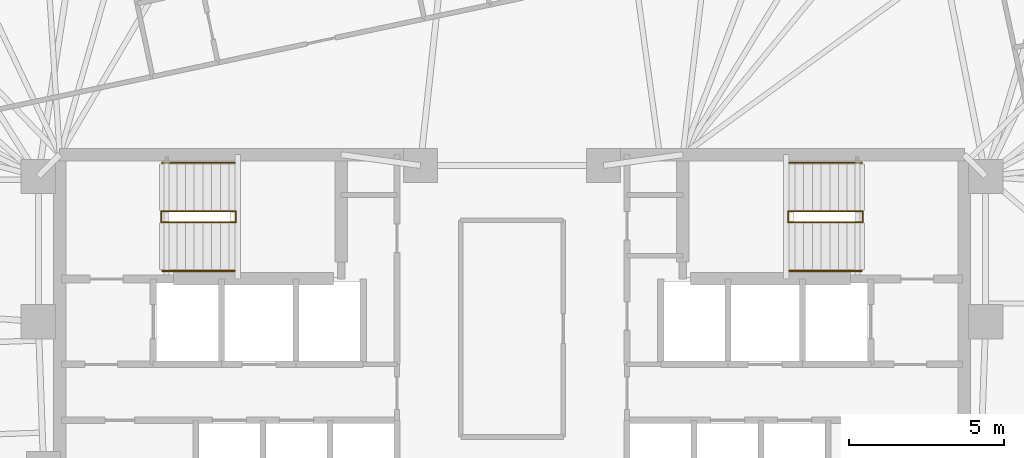
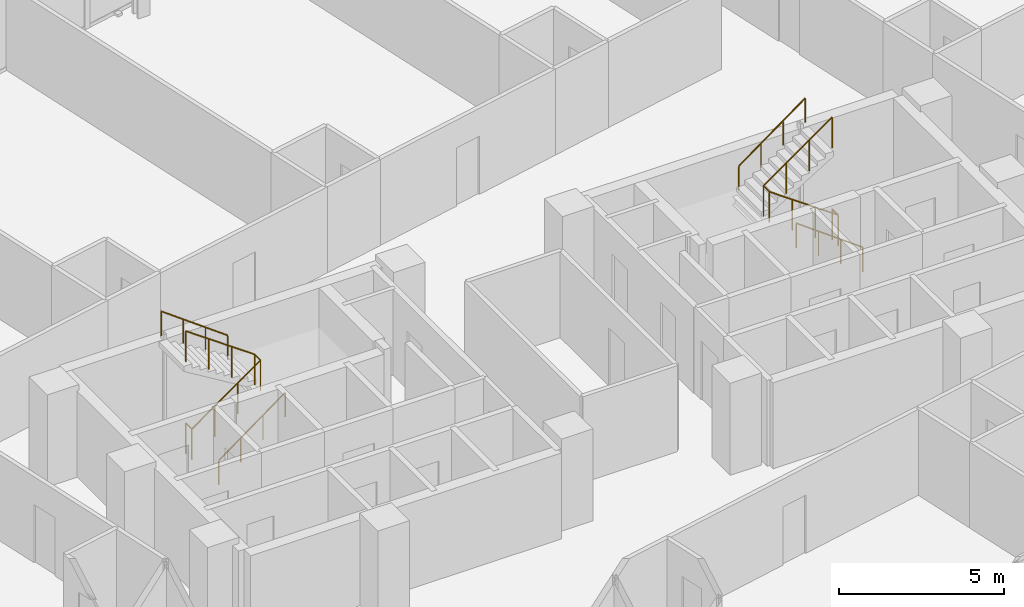
# One storey, part 19 of 19: 6 railings.
"""IFC4 building model written with IfcOpenShell, lengths in metres."""

from ifc_helpers import new_model, si_unit, direction, frame, origin, origin_2d, place, context, subcontext, project, spatial, circle, extrude, material, type_object, element, save


model = new_model("IFC4")

# Units and contexts
model_context = context("Model", 3, precision=1e-05, world=origin(), true_north=direction((0.0, 1.0)))
body_context = subcontext(model_context, "Body", "Model", "MODEL_VIEW")
ifc_project = project(units=[si_unit("LENGTHUNIT", "METRE"), si_unit("AREAUNIT", "SQUARE_METRE"), si_unit("VOLUMEUNIT", "CUBIC_METRE"), si_unit("PLANEANGLEUNIT", "RADIAN"), si_unit("MASSUNIT", "GRAM", prefix="KILO")], contexts=[model_context])

# Site, building, storey
site_placement = place(None, origin())
site = spatial("IfcSite", under=ifc_project, at=site_placement, CompositionType="ELEMENT")
building_placement = place(site_placement, origin())
building = spatial("IfcBuilding", under=site, at=building_placement, Name="Menara Jurai Vektor", CompositionType="ELEMENT")
storey_placement = place(building_placement, frame((0.0, 0.0, 182.0)))
storey = spatial("IfcBuildingStorey", under=building, at=storey_placement, Name="L47", CompositionType="ELEMENT", Elevation=182.0)

# Railings
ifc_material_1 = material(Name="Painted Galvanised Steel Balustrade", Category="steel")
railing_type_1 = type_object("IfcRailingType", Name="RAIL-STAIR-GUARD", PredefinedType="GUARDRAIL", material=ifc_material_1)
railing_1_placement = place(storey_placement, frame((-11.2900390625, 3.780029296875, 0.0)))
element("IfcRailing", 1, at=railing_1_placement, inside=storey, type_object=railing_type_1, Name="ST1 Stair Guardrail 1 L47", PredefinedType="GUARDRAIL", context=body_context, shape_type="SweptSolid", body=[
    extrude(circle(Radius=0.02392578125, at=origin_2d()), frame((0.0, 0.0, 1.1259765625), z_axis=(0.0, -1.0, 0.0), x_axis=(1.0, 0.0, 0.0)), (0.0, 0.0, 1.0), 0.360107421875),
    extrude(circle(Radius=0.02392578125, at=origin_2d()), frame((0.0, -0.360107421875, 1.1259765625), z_axis=(0.816048950856, 0.0, 0.577982793694), x_axis=(0.0, 1.0, 0.0)), (0.0, 0.0, 1.0), 2.941162109375),
    extrude(circle(Radius=0.02392578125, at=origin_2d()), frame((2.400146484375, -0.360107421875, 2.82568359375), z_axis=(0.0, 1.0, 0.0), x_axis=(-1.0, 0.0, 0.0)), (0.0, 0.0, 1.0), 0.360107421875),
    extrude(circle(Radius=0.02392578125, at=origin_2d()), frame((2.400146484375, 0.0, 2.82568359375), z_axis=(-0.816048950856, 0.0, 0.577982793694), x_axis=(0.0, -1.0, 0.0)), (0.0, 0.0, 1.0), 2.941162109375),
    extrude(circle(Radius=0.02099609375, at=origin_2d()), origin(), (0.0, 0.0, 1.0), 1.101806640625),
    extrude(circle(Radius=0.02099609375, at=origin_2d()), frame((0.0, -0.360107421875, 0.0)), (0.0, 0.0, 1.0), 1.101806640625),
    extrude(circle(Radius=0.02099609375, at=origin_2d()), frame((0.800048828125, -0.360107421875, 0.566650390625)), (0.0, 0.0, 1.0), 1.101806640625),
    extrude(circle(Radius=0.02099609375, at=origin_2d()), frame((1.60009765625, -0.360107421875, 1.13330078125)), (0.0, 0.0, 1.0), 1.101806640625),
    extrude(circle(Radius=0.02099609375, at=origin_2d()), frame((2.400146484375, -0.360107421875, 1.699951171875)), (0.0, 0.0, 1.0), 1.101806640625),
    extrude(circle(Radius=0.02099609375, at=origin_2d()), frame((2.400146484375, 0.0, 1.699951171875)), (0.0, 0.0, 1.0), 1.101806640625),
    extrude(circle(Radius=0.02099609375, at=origin_2d()), frame((1.60009765625, 0.0, 2.2666015625)), (0.0, 0.0, 1.0), 1.101806640625),
    extrude(circle(Radius=0.02099609375, at=origin_2d()), frame((0.800048828125, 0.0, 2.833251953125)), (0.0, 0.0, 1.0), 1.101806640625),
    extrude(circle(Radius=0.02099609375, at=origin_2d()), frame((0.0, 0.0, 3.39990234375)), (0.0, 0.0, 1.0), 1.101806640625),
])
railing_2_placement = place(storey_placement, frame((11.2900390625, 3.780029296875, 0.0)))
element("IfcRailing", 2, at=railing_2_placement, inside=storey, type_object=railing_type_1, Name="ST2 Stair Guardrail 1 L47", PredefinedType="GUARDRAIL", context=body_context, shape_type="SweptSolid", body=[
    extrude(circle(Radius=0.02392578125, at=origin_2d()), frame((0.0, 0.0, 1.1259765625), z_axis=(0.0, -1.0, 0.0), x_axis=(1.0, 0.0, 0.0)), (0.0, 0.0, 1.0), 0.360107421875),
    extrude(circle(Radius=0.02392578125, at=origin_2d()), frame((0.0, -0.360107421875, 1.1259765625), z_axis=(-0.816048950856, 0.0, 0.577982793694), x_axis=(0.0, -1.0, 0.0)), (0.0, 0.0, 1.0), 2.941162109375),
    extrude(circle(Radius=0.02392578125, at=origin_2d()), frame((-2.400146484375, -0.360107421875, 2.82568359375), z_axis=(0.0, 1.0, 0.0), x_axis=(-1.0, 0.0, 0.0)), (0.0, 0.0, 1.0), 0.360107421875),
    extrude(circle(Radius=0.02392578125, at=origin_2d()), frame((-2.400146484375, 0.0, 2.82568359375), z_axis=(0.816048950856, 0.0, 0.577982793694), x_axis=(0.0, 1.0, 0.0)), (0.0, 0.0, 1.0), 2.941162109375),
    extrude(circle(Radius=0.02099609375, at=origin_2d()), origin(), (0.0, 0.0, 1.0), 1.101806640625),
    extrude(circle(Radius=0.02099609375, at=origin_2d()), frame((0.0, -0.360107421875, 0.0)), (0.0, 0.0, 1.0), 1.101806640625),
    extrude(circle(Radius=0.02099609375, at=origin_2d()), frame((-0.800048828125, -0.360107421875, 0.566650390625)), (0.0, 0.0, 1.0), 1.101806640625),
    extrude(circle(Radius=0.02099609375, at=origin_2d()), frame((-1.60009765625, -0.360107421875, 1.13330078125)), (0.0, 0.0, 1.0), 1.101806640625),
    extrude(circle(Radius=0.02099609375, at=origin_2d()), frame((-2.400146484375, -0.360107421875, 1.699951171875)), (0.0, 0.0, 1.0), 1.101806640625),
    extrude(circle(Radius=0.02099609375, at=origin_2d()), frame((-2.400146484375, 0.0, 1.699951171875)), (0.0, 0.0, 1.0), 1.101806640625),
    extrude(circle(Radius=0.02099609375, at=origin_2d()), frame((-1.60009765625, 0.0, 2.2666015625)), (0.0, 0.0, 1.0), 1.101806640625),
    extrude(circle(Radius=0.02099609375, at=origin_2d()), frame((-0.800048828125, 0.0, 2.833251953125)), (0.0, 0.0, 1.0), 1.101806640625),
    extrude(circle(Radius=0.02099609375, at=origin_2d()), frame((0.0, 0.0, 3.39990234375)), (0.0, 0.0, 1.0), 1.101806640625),
])
ifc_material_2 = material(Name="Brushed Stainless Steel Handrail", Category="steel")
railing_type_2 = type_object("IfcRailingType", Name="RAIL-STAIR-HAND", PredefinedType="HANDRAIL", material=ifc_material_2)
railing_3_placement = place(storey_placement, frame((-11.25, 1.860107421875, 0.0)))
element("IfcRailing", 3, at=railing_3_placement, inside=storey, type_object=railing_type_2, Name="ST1 Stair Handrail 1 L47", PredefinedType="HANDRAIL", context=body_context, shape_type="SweptSolid", body=[
    extrude(circle(Radius=0.02392578125, at=origin_2d()), frame((0.0, 0.0, 0.89599609375), z_axis=(0.806642406755, 0.0, 0.591039785145), x_axis=(0.0, 1.0, 0.0)), (0.0, 0.0, 1.0), 2.876220703125),
    extrude(circle(Radius=0.02099609375, at=origin_2d()), origin(), (0.0, 0.0, 1.0), 0.871826171875),
    extrude(circle(Radius=0.02099609375, at=origin_2d()), frame((0.7734375, 0.0, 0.566650390625)), (0.0, 0.0, 1.0), 0.871826171875),
    extrude(circle(Radius=0.02099609375, at=origin_2d()), frame((1.546630859375, 0.0, 1.13330078125)), (0.0, 0.0, 1.0), 0.871826171875),
    extrude(circle(Radius=0.02099609375, at=origin_2d()), frame((2.320068359375, 0.0, 1.699951171875)), (0.0, 0.0, 1.0), 0.871826171875),
])
for number, where, name in (
    (4, (-8.929931640625, 5.340087890625, 1.699951171875), "ST1 Stair Handrail 2 L47"),
    (5, (11.25, 1.860107421875, 0.0), "ST2 Stair Handrail 1 L47"),
):
    element("IfcRailing", number, at=place(storey_placement, frame(where)), inside=storey, type_object=railing_type_2, Name=name, PredefinedType="HANDRAIL", context=body_context, shape_type="SweptSolid", body=[
        extrude(circle(Radius=0.02392578125, at=origin_2d()), frame((0.0, 0.0, 0.89599609375), z_axis=(-0.806642406755, 0.0, 0.591039785145), x_axis=(0.0, -1.0, 0.0)), (0.0, 0.0, 1.0), 2.876220703125),
        extrude(circle(Radius=0.02099609375, at=origin_2d()), origin(), (0.0, 0.0, 1.0), 0.871826171875),
        extrude(circle(Radius=0.02099609375, at=origin_2d()), frame((-0.7734375, 0.0, 0.566650390625)), (0.0, 0.0, 1.0), 0.871826171875),
        extrude(circle(Radius=0.02099609375, at=origin_2d()), frame((-1.546630859375, 0.0, 1.13330078125)), (0.0, 0.0, 1.0), 0.871826171875),
        extrude(circle(Radius=0.02099609375, at=origin_2d()), frame((-2.320068359375, 0.0, 1.699951171875)), (0.0, 0.0, 1.0), 0.871826171875),
    ])
railing_4_placement = place(storey_placement, frame((8.929931640625, 5.340087890625, 1.699951171875)))
element("IfcRailing", 6, at=railing_4_placement, inside=storey, type_object=railing_type_2, Name="ST2 Stair Handrail 2 L47", PredefinedType="HANDRAIL", context=body_context, shape_type="SweptSolid", body=[
    extrude(circle(Radius=0.02392578125, at=origin_2d()), frame((0.0, 0.0, 0.89599609375), z_axis=(0.806642406755, 0.0, 0.591039785145), x_axis=(0.0, 1.0, 0.0)), (0.0, 0.0, 1.0), 2.876220703125),
    extrude(circle(Radius=0.02099609375, at=origin_2d()), origin(), (0.0, 0.0, 1.0), 0.871826171875),
    extrude(circle(Radius=0.02099609375, at=origin_2d()), frame((0.7734375, 0.0, 0.566650390625)), (0.0, 0.0, 1.0), 0.871826171875),
    extrude(circle(Radius=0.02099609375, at=origin_2d()), frame((1.546630859375, 0.0, 1.13330078125)), (0.0, 0.0, 1.0), 0.871826171875),
    extrude(circle(Radius=0.02099609375, at=origin_2d()), frame((2.320068359375, 0.0, 1.699951171875)), (0.0, 0.0, 1.0), 0.871826171875),
])

save(model, "model.ifc")
